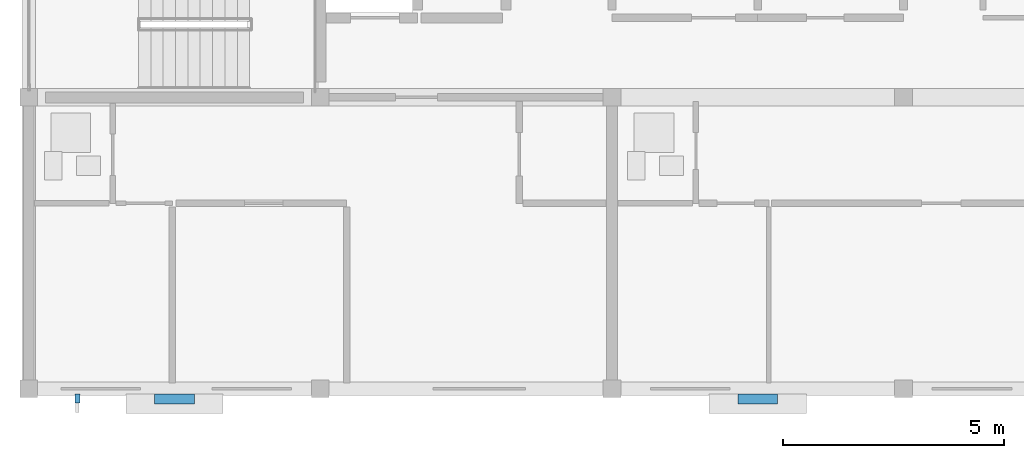
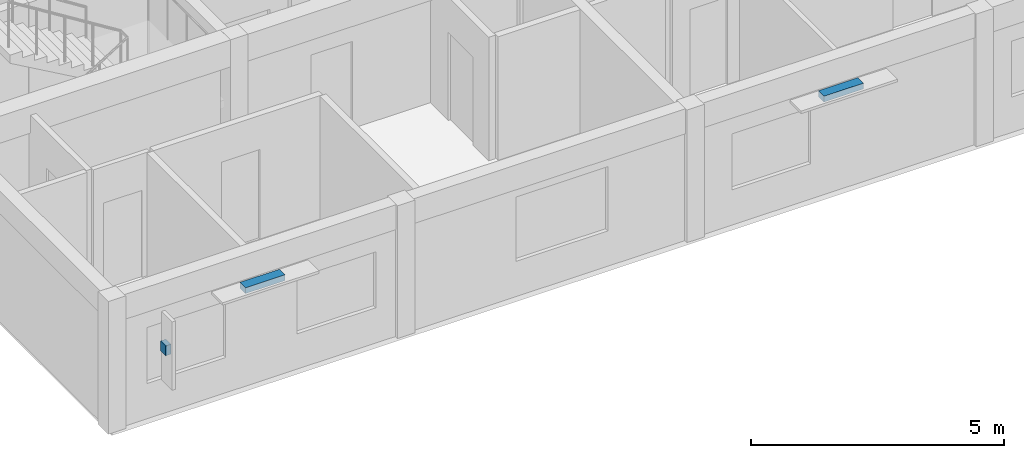
# One storey, part 12 of 15: 3 discrete accessories.
"""IFC4 building model written with IfcOpenShell, lengths in metres."""

from ifc_helpers import new_model, si_unit, direction, frame, origin, origin_2d, place, context, subcontext, project, spatial, rectangle, extrude, material, type_object, element, save


model = new_model("IFC4")

# Units and contexts
model_context = context("Model", 3, precision=1e-05, world=origin(), true_north=direction((0.0, 1.0)))
body_context = subcontext(model_context, "Body", "Model", "MODEL_VIEW")
ifc_project = project(units=[si_unit("LENGTHUNIT", "METRE"), si_unit("AREAUNIT", "SQUARE_METRE"), si_unit("VOLUMEUNIT", "CUBIC_METRE"), si_unit("PLANEANGLEUNIT", "RADIAN"), si_unit("MASSUNIT", "GRAM", prefix="KILO")], contexts=[model_context])

# Site, building, storey
site_placement = place(None, origin())
site = spatial("IfcSite", under=ifc_project, at=site_placement, CompositionType="ELEMENT")
building_placement = place(site_placement, origin())
building = spatial("IfcBuilding", under=site, at=building_placement, Name="Kernevlak Ridge Housing Community", CompositionType="ELEMENT")
storey_placement = place(building_placement, frame((0.0, 0.0, 50.0)))
storey = spatial("IfcBuildingStorey", under=building, at=storey_placement, Name="L15", CompositionType="ELEMENT", Elevation=50.0)

# Discrete accessories
ifc_material = material(Name="Steel S355 galvanised", Category="steel")
discrete_accessory_type = type_object("IfcDiscreteAccessoryType", Name="BK-01", PredefinedType="BRACKET", material=ifc_material)
discrete_accessory_1_placement = place(storey_placement, frame((18.89990234375, 75.77001953125, 2.41015625), z_axis=(0.0, 0.0, 1.0), x_axis=(1.0, 0.0, 0.0)))
element("IfcDiscreteAccessory", 1, at=discrete_accessory_1_placement, inside=storey, type_object=discrete_accessory_type, Name="Sunshade steel bracket 13", PredefinedType="BRACKET", context=body_context, shape_type="SweptSolid", body=[
    extrude(rectangle(XDim=0.89990234375, YDim=0.219970703125, at=origin_2d()), origin(), (0.0, 0.0, 1.0), 0.139892578125),
])
discrete_accessory_2_placement = place(storey_placement, frame((16.699951171875, 75.780029296875, 1.52978515625), z_axis=(0.0, 0.0, 1.0), x_axis=(1.0, 0.0, 0.0)))
element("IfcDiscreteAccessory", 2, at=discrete_accessory_2_placement, inside=storey, type_object=discrete_accessory_type, Name="Vertical fin fixing bracket 13", PredefinedType="BRACKET", context=body_context, shape_type="SweptSolid", body=[
    extrude(rectangle(XDim=0.1201171875, YDim=0.199951171875, at=origin_2d()), origin(), (0.0, 0.0, 1.0), 0.239990234375),
])
discrete_accessory_3_placement = place(storey_placement, frame((32.10009765625, 75.77001953125, 2.41015625), z_axis=(0.0, 0.0, 1.0), x_axis=(1.0, 0.0, 0.0)))
element("IfcDiscreteAccessory", 3, at=discrete_accessory_3_placement, inside=storey, type_object=discrete_accessory_type, Name="Sunshade steel bracket 14", PredefinedType="BRACKET", context=body_context, shape_type="SweptSolid", body=[
    extrude(rectangle(XDim=0.89990234375, YDim=0.219970703125, at=origin_2d()), origin(), (0.0, 0.0, 1.0), 0.139892578125),
])

save(model, "model.ifc")
